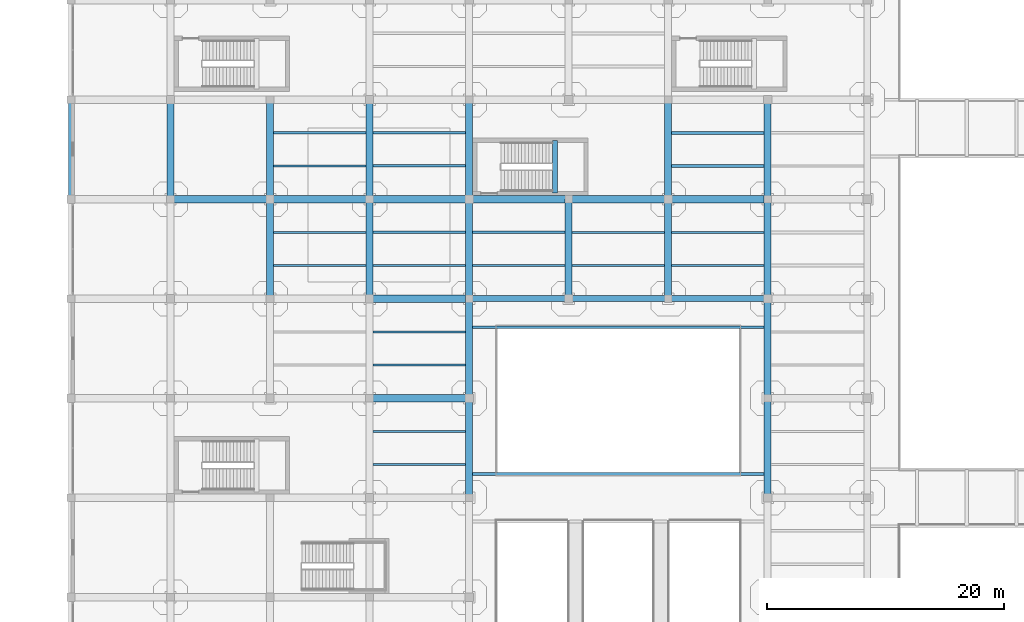
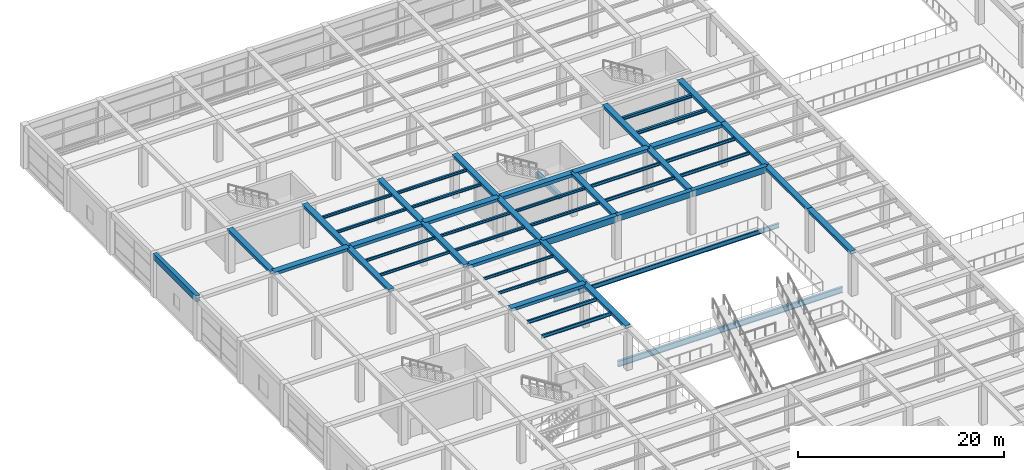
# One storey, part 32 of 96: 51 beams.
"""IFC4 building model written with IfcOpenShell, lengths in metres."""

import ifcopenshell
import ifcopenshell.guid

model = None  # the IFC model being written
_history = None  # IfcOwnerHistory: only IFC2X3 demands one
_inside = {}  # id of a spatial element -> (the spatial element, [elements in it])
_under = {}  # id of a project, library or spatial element -> (it, [spatial elements below it])
_declared = {}  # id of a project -> (the project, [libraries it declares])
_typed = {}  # id of a type object -> (the type object, [elements of that type])
_made_of = {}  # id of a material, layer set ... -> (it, [elements and type objects made of it])


def new_model(schema):
    """Start an empty IFC model of exactly this schema.

    Asked for "IFC4X3", IfcOpenShell would pick the latest addendum, in which some entities
    have other attributes; the version numbers below select the first issue.
    IFC2X3 requires an IfcOwnerHistory on every rooted entity: one is made here for all.
    """
    global model, _history
    if schema == "IFC4X3":
        model = ifcopenshell.file(schema_version=(4, 3, 0, 0))
    else:
        model = ifcopenshell.file(schema=schema)
    _inside.clear()
    _under.clear()
    _declared.clear()
    _typed.clear()
    _made_of.clear()
    _history = None
    if model.schema == "IFC2X3":
        org = make("IfcOrganization", Name="unknown")
        user = make(
            "IfcPersonAndOrganization",
            ThePerson=make("IfcPerson", FamilyName="unknown"),
            TheOrganization=org,
        )
        app = make(
            "IfcApplication",
            ApplicationDeveloper=org,
            Version="unknown",
            ApplicationFullName="unknown",
            ApplicationIdentifier="unknown",
        )
        _history = make(
            "IfcOwnerHistory",
            OwningUser=user,
            OwningApplication=app,
            ChangeAction="ADDED",
            CreationDate=0,
        )
    return model


def make(cls, **values):
    """One entity of the class cls with the attributes given. An attribute that is None is left unset."""
    return model.create_entity(
        cls, **{name: value for name, value in values.items() if value is not None}
    )


def rooted(cls, **values):
    """An entity with a GlobalId (a new one), such as an element, a storey or a relation."""
    return make(cls, GlobalId=ifcopenshell.guid.new(), OwnerHistory=_history, **values)


def si_unit(unit_type, name, prefix=None):
    """IfcSIUnit, for example si_unit("LENGTHUNIT", "METRE", prefix="MILLI")."""
    return make("IfcSIUnit", UnitType=unit_type, Prefix=prefix, Name=name)


def assignment(units):
    """IfcUnitAssignment: the units of a project."""
    return None if units is None else make("IfcUnitAssignment", Units=units)


def point(xyz):
    """IfcCartesianPoint."""
    return None if xyz is None else make("IfcCartesianPoint", Coordinates=xyz)


def direction(xyz):
    """IfcDirection."""
    return None if xyz is None else make("IfcDirection", DirectionRatios=xyz)


def frame(location, z_axis=None, x_axis=None):
    """IfcAxis2Placement3D, a coordinate frame: its origin and axes. An axis left out is left unset."""
    return make(
        "IfcAxis2Placement3D",
        Location=point(location),
        Axis=direction(z_axis),
        RefDirection=direction(x_axis),
    )


def frame_2d(location, x_axis=None):
    """IfcAxis2Placement2D, a coordinate frame in the plane: its origin and x axis."""
    return make(
        "IfcAxis2Placement2D", Location=point(location), RefDirection=direction(x_axis)
    )


def origin():
    """The frame at (0, 0, 0) with its axes left unset."""
    return frame((0.0, 0.0, 0.0))


def origin_2d():
    """The frame at (0, 0) in the plane with its x axis left unset."""
    return frame_2d((0.0, 0.0))


def place(relative_to, where):
    """IfcLocalPlacement: puts the frame where relative to a parent placement (None: the world)."""
    return make(
        "IfcLocalPlacement", PlacementRelTo=relative_to, RelativePlacement=where
    )


def context(
    kind, dimensions, precision=None, world=None, true_north=None, identifier=None
):
    """IfcGeometricRepresentationContext, for example the 3D "Model" context."""
    return make(
        "IfcGeometricRepresentationContext",
        ContextIdentifier=identifier,
        ContextType=kind,
        CoordinateSpaceDimension=dimensions,
        Precision=precision,
        WorldCoordinateSystem=world,
        TrueNorth=true_north,
    )


def subcontext(parent, identifier, kind, view, scale=None):
    """IfcGeometricRepresentationSubContext, for example "Body" below "Model"."""
    return make(
        "IfcGeometricRepresentationSubContext",
        ContextIdentifier=identifier,
        ContextType=kind,
        ParentContext=parent,
        TargetScale=scale,
        TargetView=view,
    )


def project(units=None, contexts=None):
    """IfcProject with its units and contexts."""
    return rooted(
        "IfcProject",
        Name="project",
        RepresentationContexts=contexts,
        UnitsInContext=assignment(units),
    )


def spatial(cls, under=None, at=None, **own):
    """A site, building, storey or space (cls), placed at a placement, below another one or the project."""
    s = rooted(cls, ObjectPlacement=at, **own)
    if under is not None:
        _under.setdefault(under.id(), (under, []))[1].append(s)
    return s


def profile(cls, at=None, kind="AREA", **sizes):
    """A parametric profile (cls). Its sizes go by their IFC names, for example OverallWidth=200.0."""
    return make(cls, ProfileType=kind, Position=at, **sizes)


def rectangle(**sizes):
    """IfcRectangleProfileDef."""
    return profile("IfcRectangleProfileDef", **sizes)


def i_section(**sizes):
    """IfcIShapeProfileDef."""
    return profile("IfcIShapeProfileDef", **sizes)


def extrude(swept, where, along, depth):
    """IfcExtrudedAreaSolid: the profile swept, set in the frame where, extruded along a direction by depth."""
    return make(
        "IfcExtrudedAreaSolid",
        SweptArea=swept,
        Position=where,
        ExtrudedDirection=direction(along),
        Depth=depth,
    )


def shape(context_of_items, identifier, shape_type, items):
    """IfcShapeRepresentation: the items that make up one representation, for example the "Body"."""
    return make(
        "IfcShapeRepresentation",
        ContextOfItems=context_of_items,
        RepresentationIdentifier=identifier,
        RepresentationType=shape_type,
        Items=items,
    )


def material(Name=None, Category=None):
    """IfcMaterial."""
    return make("IfcMaterial", Name=Name, Category=Category)


def material_profile(
    of_material, cross_section, Name=None, Category=None, Priority=None
):
    """IfcMaterialProfile: a cross section and its material."""
    return make(
        "IfcMaterialProfile",
        Name=Name,
        Material=of_material,
        Profile=cross_section,
        Priority=Priority,
        Category=Category,
    )


def profile_set(profiles, Name=None, composite=None):
    """IfcMaterialProfileSet."""
    return make(
        "IfcMaterialProfileSet",
        Name=Name,
        MaterialProfiles=profiles,
        CompositeProfile=composite,
    )


def made_of(thing, what):
    """Note that an element or type object is made of a material, layer set ...; save() writes the relation."""
    if what is not None:
        _made_of.setdefault(what.id(), (what, []))[1].append(thing)
    return thing


def type_object(cls, material=None, **own):
    """A type object (cls), such as IfcWallType, which elements share."""
    return made_of(rooted(cls, **own), material)


def element(
    cls,
    number,
    at=None,
    inside=None,
    cuts=None,
    type_object=None,
    material=None,
    context=None,
    identifier="Body",
    shape_type=None,
    held_by="IfcProductDefinitionShape",
    body=None,
    shapes=None,
    **own,
):
    """One element of the class cls, such as IfcWall. Its Tag is "e" and its number.

    at: its placement. inside: the storey or other place that contains it. cuts: it is an
    opening in that element (IfcRelVoidsElement). A single representation is given by context,
    identifier, shape_type and body (its items); several are given by shapes. held_by: the class
    of the entity that holds the representations. save() writes the other relations.
    """
    e = rooted(cls, Tag="e%d" % number, ObjectPlacement=at, **own)
    if body is not None:
        shapes = [shape(context, identifier, shape_type, body)]
    if shapes is not None:
        e.Representation = make(held_by, Representations=shapes)
    if inside is not None:
        _inside.setdefault(inside.id(), (inside, []))[1].append(e)
    if cuts is not None:
        rooted(
            "IfcRelVoidsElement", RelatingBuildingElement=cuts, RelatedOpeningElement=e
        )
    if type_object is not None:
        _typed.setdefault(type_object.id(), (type_object, []))[1].append(e)
    return made_of(e, material)


def aggregate(whole, parts):
    """IfcRelAggregates: a whole, such as a stair, and the parts it consists of."""
    return rooted("IfcRelAggregates", RelatingObject=whole, RelatedObjects=parts)


def save(model, path):
    """Write the relations noted so far, then the file.

    IfcRelAggregates (storeys below a building ...), IfcRelContainedInSpatialStructure (elements
    in a storey), IfcRelDefinesByType, IfcRelAssociatesMaterial and IfcRelDeclares: one each for
    every whole, place, type object, material and project.
    """
    for whole, parts in _under.values():
        aggregate(whole, parts)
    for where, things in _inside.values():
        rooted(
            "IfcRelContainedInSpatialStructure",
            RelatedElements=things,
            RelatingStructure=where,
        )
    for kind, things in _typed.values():
        rooted("IfcRelDefinesByType", RelatedObjects=things, RelatingType=kind)
    for what, things in _made_of.values():
        rooted("IfcRelAssociatesMaterial", RelatedObjects=things, RelatingMaterial=what)
    for by, libraries in _declared.values():
        rooted("IfcRelDeclares", RelatingContext=by, RelatedDefinitions=libraries)
    model.write(path)


model = new_model("IFC4")

# Units and contexts
model_context = context("Model", 3, precision=1e-05, world=origin(), true_north=direction((0.0, 1.0)))
body_context = subcontext(model_context, "Body", "Model", "MODEL_VIEW")
ifc_project = project(units=[si_unit("LENGTHUNIT", "METRE"), si_unit("AREAUNIT", "SQUARE_METRE"), si_unit("VOLUMEUNIT", "CUBIC_METRE"), si_unit("PLANEANGLEUNIT", "RADIAN"), si_unit("MASSUNIT", "GRAM", prefix="KILO")], contexts=[model_context])

# Site, building, storey
site_placement = place(None, origin())
site = spatial("IfcSite", under=ifc_project, at=site_placement, CompositionType="ELEMENT")
building_placement = place(site_placement, origin())
building = spatial("IfcBuilding", under=site, at=building_placement, Name="Almacenes y Pasaje Nevantli", CompositionType="ELEMENT")
storey_placement = place(building_placement, frame((0.0, 0.0, 6.0)))
storey = spatial("IfcBuildingStorey", under=building, at=storey_placement, Name="L02", CompositionType="ELEMENT", Elevation=6.0)

# Beams
ifc_material_1 = material(Name="Concrete C35/45", Category="concrete")
ifc_material_profile_1 = material_profile(ifc_material_1, rectangle(XDim=0.39990234375, YDim=0.60009765625, at=origin_2d()), Name="RC-BM-400x600")
ifc_profile_set_1 = profile_set([ifc_material_profile_1], Name="Concrete C35/45")
beam_type_1 = type_object("IfcBeamType", Name="BM-RC-400x600", PredefinedType="SPANDREL", material=ifc_profile_set_1)
beam_1_placement = place(storey_placement, frame((40.85009765625, 84.5, 2.199951171875), z_axis=(0.0, 1.0, 0.0), x_axis=(-1.0, 0.0, 0.0)))
element("IfcBeam", 1, at=beam_1_placement, inside=storey, type_object=beam_type_1, Name="L02 Stair ST-15 Half-Landing Support Beam", PredefinedType="SPANDREL", context=body_context, shape_type="SweptSolid", body=[
    extrude(rectangle(XDim=0.39990234375, YDim=0.60009765625, at=origin_2d()), origin(), (0.0, 0.0, 1.0), 4.449951171875),
])
ifc_material_2 = material(Name="Concrete C35/45", Category="concrete")
ifc_material_profile_2 = material_profile(ifc_material_2, rectangle(XDim=0.449951171875, YDim=0.699951171875, at=origin_2d()), Name="RC-BM-450x700")
ifc_profile_set_2 = profile_set([ifc_material_profile_2], Name="Concrete C35/45")
beam_type_2 = type_object("IfcBeamType", Name="BM-RC-450x700", PredefinedType="SPANDREL", material=ifc_profile_set_2)
beam_2_placement = place(storey_placement, frame((0.0, 84.0, 4.75), z_axis=(0.0, 1.0, 0.0), x_axis=(-1.0, 0.0, 0.0)))
element("IfcBeam", 2, at=beam_2_placement, inside=storey, type_object=beam_type_2, Name="L02 North-South Reinforced Concrete Beam #1973", PredefinedType="SPANDREL", context=body_context, shape_type="SweptSolid", body=[
    extrude(rectangle(XDim=0.449951171875, YDim=0.699951171875, at=origin_2d()), origin(), (0.0, 0.0, 1.0), 8.39990234375),
])
ifc_material_3 = material(Name="Concrete C35/45", Category="concrete")
ifc_material_profile_3 = material_profile(ifc_material_3, rectangle(XDim=0.5, YDim=0.699951171875, at=origin_2d()), Name="RC-BM-500x700")
ifc_profile_set_3 = profile_set([ifc_material_profile_3], Name="Concrete C35/45")
beam_type_3 = type_object("IfcBeamType", Name="BM-RC-500x700", PredefinedType="BEAM", material=ifc_profile_set_3)
beam_3_placement = place(storey_placement, frame((42.0, 75.60009765625, 4.75), z_axis=(1.0, 0.0, 0.0), x_axis=(0.0, 1.0, 0.0)))
element("IfcBeam", 3, at=beam_3_placement, inside=storey, type_object=beam_type_3, Name="L02 East-West Reinforced Concrete Beam #1866", PredefinedType="BEAM", context=body_context, shape_type="SweptSolid", body=[
    extrude(rectangle(XDim=0.5, YDim=0.699951171875, at=origin_2d()), origin(), (0.0, 0.0, 1.0), 8.39990234375),
])
ifc_material_4 = material(Name="Concrete C35/45", Category="concrete")
ifc_material_profile_4 = material_profile(ifc_material_4, rectangle(XDim=0.5, YDim=0.75, at=origin_2d()), Name="RC-BM-500x750")
ifc_profile_set_4 = profile_set([ifc_material_profile_4], Name="Concrete C35/45")
beam_type_4 = type_object("IfcBeamType", Name="BM-RC-500x750", PredefinedType="BEAM", material=ifc_profile_set_4)
beam_4_placement = place(storey_placement, frame((33.60009765625, 75.60009765625, 4.72509765625), z_axis=(1.0, 0.0, 0.0), x_axis=(0.0, 1.0, 0.0)))
element("IfcBeam", 4, at=beam_4_placement, inside=storey, type_object=beam_type_4, Name="L02 East-West Reinforced Concrete Beam #1865", PredefinedType="BEAM", context=body_context, shape_type="SweptSolid", body=[
    extrude(rectangle(XDim=0.5, YDim=0.75, at=origin_2d()), origin(), (0.0, 0.0, 1.0), 8.39990234375),
])
beam_5_placement = place(storey_placement, frame((50.39990234375, 75.60009765625, 4.72509765625), z_axis=(1.0, 0.0, 0.0), x_axis=(0.0, 1.0, 0.0)))
element("IfcBeam", 5, at=beam_5_placement, inside=storey, type_object=beam_type_4, Name="L02 East-West Reinforced Concrete Beam #1867", PredefinedType="BEAM", context=body_context, shape_type="SweptSolid", body=[
    extrude(rectangle(XDim=0.5, YDim=0.75, at=origin_2d()), origin(), (0.0, 0.0, 1.0), 8.400146484375),
])
ifc_material_5 = material(Name="Concrete C35/45", Category="concrete")
ifc_material_profile_5 = material_profile(ifc_material_5, rectangle(XDim=0.60009765625, YDim=0.320068359375, at=origin_2d()), Name="RC-BM-600x320")
ifc_profile_set_5 = profile_set([ifc_material_profile_5], Name="Concrete C35/45")
beam_type_5 = type_object("IfcBeamType", Name="BM-RC-600x320", PredefinedType="BEAM", material=ifc_profile_set_5)
for number, where, z_axis, x_axis, name in (
    (6, (8.39990234375, 84.0, 4.93994140625), (0.0, 1.0, 0.0), (-1.0, 0.0, 0.0), "L02 North-South Reinforced Concrete Beam #1984"),
    (7, (16.800048828125, 75.60009765625, 4.93994140625), (0.0, 1.0, 0.0), (-1.0, 0.0, 0.0), "L02 North-South Reinforced Concrete Beam #1993"),
    (8, (25.199951171875, 84.0, 4.93994140625), (0.0, 1.0, 0.0), (-1.0, 0.0, 0.0), "L02 North-South Reinforced Concrete Beam #2007"),
    (9, (33.60009765625, 58.800048828125, 4.93994140625), (0.0, 1.0, 0.0), (-1.0, 0.0, 0.0), "L02 North-South Reinforced Concrete Beam #2017"),
    (10, (33.60009765625, 75.60009765625, 4.93994140625), (0.0, 1.0, 0.0), (-1.0, 0.0, 0.0), "L02 North-South Reinforced Concrete Beam #2019"),
    (11, (50.39990234375, 75.60009765625, 4.93994140625), (0.0, 1.0, 0.0), (-1.0, 0.0, 0.0), "L02 North-South Reinforced Concrete Beam #2037"),
):
    element("IfcBeam", number, at=place(storey_placement, frame(where, z_axis=z_axis, x_axis=x_axis)), inside=storey, type_object=beam_type_5, Name=name, PredefinedType="BEAM", context=body_context, shape_type="SweptSolid", body=[
        extrude(rectangle(XDim=0.60009765625, YDim=0.320068359375, at=origin_2d()), origin(), (0.0, 0.0, 1.0), 8.39990234375),
    ])
beam_6_placement = place(storey_placement, frame((58.800048828125, 67.199951171875, 4.93994140625), z_axis=(0.0, 1.0, 0.0), x_axis=(-1.0, 0.0, 0.0)))
element("IfcBeam", 12, at=beam_6_placement, inside=storey, type_object=beam_type_5, Name="L02 North-South Reinforced Concrete Beam #2050", PredefinedType="BEAM", context=body_context, shape_type="SweptSolid", body=[
    extrude(rectangle(XDim=0.60009765625, YDim=0.320068359375, at=origin_2d()), origin(), (0.0, 0.0, 1.0), 8.400146484375),
])
beam_7_placement = place(storey_placement, frame((58.800048828125, 84.0, 4.93994140625), z_axis=(0.0, 1.0, 0.0), x_axis=(-1.0, 0.0, 0.0)))
element("IfcBeam", 13, at=beam_7_placement, inside=storey, type_object=beam_type_5, Name="L02 North-South Reinforced Concrete Beam #2052", PredefinedType="BEAM", context=body_context, shape_type="SweptSolid", body=[
    extrude(rectangle(XDim=0.60009765625, YDim=0.320068359375, at=origin_2d()), origin(), (0.0, 0.0, 1.0), 8.39990234375),
])
ifc_material_6 = material(Name="Concrete C35/45", Category="concrete")
ifc_material_profile_6 = material_profile(ifc_material_6, rectangle(XDim=0.60009765625, YDim=0.340087890625, at=origin_2d()), Name="RC-BM-600x340")
ifc_profile_set_6 = profile_set([ifc_material_profile_6], Name="Concrete C35/45")
beam_type_6 = type_object("IfcBeamType", Name="BM-RC-600x340", PredefinedType="BEAM", material=ifc_profile_set_6)
for number, where, z_axis, x_axis, name in (
    (14, (16.800048828125, 84.0, 4.929931640625), (0.0, 1.0, 0.0), (-1.0, 0.0, 0.0), "L02 North-South Reinforced Concrete Beam #1994"),
    (15, (25.199951171875, 75.60009765625, 4.929931640625), (0.0, 1.0, 0.0), (-1.0, 0.0, 0.0), "L02 North-South Reinforced Concrete Beam #2006"),
):
    element("IfcBeam", number, at=place(storey_placement, frame(where, z_axis=z_axis, x_axis=x_axis)), inside=storey, type_object=beam_type_6, Name=name, PredefinedType="BEAM", context=body_context, shape_type="SweptSolid", body=[
        extrude(rectangle(XDim=0.60009765625, YDim=0.340087890625, at=origin_2d()), origin(), (0.0, 0.0, 1.0), 8.39990234375),
    ])
beam_8_placement = place(storey_placement, frame((33.60009765625, 67.199951171875, 4.929931640625), z_axis=(0.0, 1.0, 0.0), x_axis=(-1.0, 0.0, 0.0)))
element("IfcBeam", 16, at=beam_8_placement, inside=storey, type_object=beam_type_6, Name="L02 North-South Reinforced Concrete Beam #2018", PredefinedType="BEAM", context=body_context, shape_type="SweptSolid", body=[
    extrude(rectangle(XDim=0.60009765625, YDim=0.340087890625, at=origin_2d()), origin(), (0.0, 0.0, 1.0), 8.400146484375),
])
for number, where, z_axis, x_axis, name in (
    (17, (33.60009765625, 84.0, 4.929931640625), (0.0, 1.0, 0.0), (-1.0, 0.0, 0.0), "L02 North-South Reinforced Concrete Beam #2020"),
    (18, (42.0, 75.60009765625, 4.929931640625), (0.0, 1.0, 0.0), (-1.0, 0.0, 0.0), "L02 North-South Reinforced Concrete Beam #2029"),
    (19, (50.39990234375, 84.0, 4.929931640625), (0.0, 1.0, 0.0), (-1.0, 0.0, 0.0), "L02 North-South Reinforced Concrete Beam #2038"),
    (20, (58.800048828125, 58.800048828125, 4.929931640625), (0.0, 1.0, 0.0), (-1.0, 0.0, 0.0), "L02 North-South Reinforced Concrete Beam #2049"),
    (21, (58.800048828125, 75.60009765625, 4.929931640625), (0.0, 1.0, 0.0), (-1.0, 0.0, 0.0), "L02 North-South Reinforced Concrete Beam #2051"),
):
    element("IfcBeam", number, at=place(storey_placement, frame(where, z_axis=z_axis, x_axis=x_axis)), inside=storey, type_object=beam_type_6, Name=name, PredefinedType="BEAM", context=body_context, shape_type="SweptSolid", body=[
        extrude(rectangle(XDim=0.60009765625, YDim=0.340087890625, at=origin_2d()), origin(), (0.0, 0.0, 1.0), 8.39990234375),
    ])
ifc_material_7 = material(Name="Concrete C35/45", Category="concrete")
ifc_material_profile_7 = material_profile(ifc_material_7, rectangle(XDim=0.64990234375, YDim=0.35009765625, at=origin_2d()), Name="RC-BM-650x350")
ifc_profile_set_7 = profile_set([ifc_material_profile_7], Name="Concrete C35/45")
beam_type_7 = type_object("IfcBeamType", Name="BM-RC-650x350", PredefinedType="BEAM", material=ifc_profile_set_7)
for number, where, z_axis, x_axis, name in (
    (22, (25.199951171875, 67.199951171875, 4.925048828125), (1.0, 0.0, 0.0), (0.0, 1.0, 0.0), "L02 East-West Reinforced Concrete Beam #1850"),
    (23, (8.39990234375, 84.0, 4.925048828125), (1.0, 0.0, 0.0), (0.0, 1.0, 0.0), "L02 East-West Reinforced Concrete Beam #1879"),
    (24, (25.199951171875, 84.0, 4.925048828125), (1.0, 0.0, 0.0), (0.0, 1.0, 0.0), "L02 East-West Reinforced Concrete Beam #1881"),
):
    element("IfcBeam", number, at=place(storey_placement, frame(where, z_axis=z_axis, x_axis=x_axis)), inside=storey, type_object=beam_type_7, Name=name, PredefinedType="BEAM", context=body_context, shape_type="SweptSolid", body=[
        extrude(rectangle(XDim=0.64990234375, YDim=0.35009765625, at=origin_2d()), origin(), (0.0, 0.0, 1.0), 8.400146484375),
    ])
beam_9_placement = place(storey_placement, frame((42.0, 84.0, 4.925048828125), z_axis=(1.0, 0.0, 0.0), x_axis=(0.0, 1.0, 0.0)))
element("IfcBeam", 25, at=beam_9_placement, inside=storey, type_object=beam_type_7, Name="L02 East-West Reinforced Concrete Beam #1883", PredefinedType="BEAM", context=body_context, shape_type="SweptSolid", body=[
    extrude(rectangle(XDim=0.64990234375, YDim=0.35009765625, at=origin_2d()), origin(), (0.0, 0.0, 1.0), 8.39990234375),
])
ifc_material_8 = material(Name="Concrete C35/45", Category="concrete")
ifc_material_profile_8 = material_profile(ifc_material_8, rectangle(XDim=0.64990234375, YDim=0.3798828125, at=origin_2d()), Name="RC-BM-650x380")
ifc_profile_set_8 = profile_set([ifc_material_profile_8], Name="Concrete C35/45")
beam_type_8 = type_object("IfcBeamType", Name="BM-RC-650x380", PredefinedType="BEAM", material=ifc_profile_set_8)
beam_10_placement = place(storey_placement, frame((25.199951171875, 75.60009765625, 4.909912109375), z_axis=(1.0, 0.0, 0.0), x_axis=(0.0, 1.0, 0.0)))
element("IfcBeam", 26, at=beam_10_placement, inside=storey, type_object=beam_type_8, Name="L02 East-West Reinforced Concrete Beam #1864", PredefinedType="BEAM", context=body_context, shape_type="SweptSolid", body=[
    extrude(rectangle(XDim=0.64990234375, YDim=0.3798828125, at=origin_2d()), origin(), (0.0, 0.0, 1.0), 8.400146484375),
])
for number, where, z_axis, x_axis, name in (
    (27, (16.800048828125, 84.0, 4.909912109375), (1.0, 0.0, 0.0), (0.0, 1.0, 0.0), "L02 East-West Reinforced Concrete Beam #1880"),
    (28, (33.60009765625, 84.0, 4.909912109375), (1.0, 0.0, 0.0), (0.0, 1.0, 0.0), "L02 East-West Reinforced Concrete Beam #1882"),
):
    element("IfcBeam", number, at=place(storey_placement, frame(where, z_axis=z_axis, x_axis=x_axis)), inside=storey, type_object=beam_type_8, Name=name, PredefinedType="BEAM", context=body_context, shape_type="SweptSolid", body=[
        extrude(rectangle(XDim=0.64990234375, YDim=0.3798828125, at=origin_2d()), origin(), (0.0, 0.0, 1.0), 8.39990234375),
    ])
beam_11_placement = place(storey_placement, frame((50.39990234375, 84.0, 4.909912109375), z_axis=(1.0, 0.0, 0.0), x_axis=(0.0, 1.0, 0.0)))
element("IfcBeam", 29, at=beam_11_placement, inside=storey, type_object=beam_type_8, Name="L02 East-West Reinforced Concrete Beam #1884", PredefinedType="BEAM", context=body_context, shape_type="SweptSolid", body=[
    extrude(rectangle(XDim=0.64990234375, YDim=0.3798828125, at=origin_2d()), origin(), (0.0, 0.0, 1.0), 8.400146484375),
])
ifc_material_9 = material(Name="Steel ASTM A992", Category="steel")
ifc_material_profile_9 = material_profile(ifc_material_9, i_section(OverallWidth=0.1650390625, OverallDepth=0.306884765625, WebThickness=0.006591796875, FlangeThickness=0.01025390625, at=origin_2d()), Name="IR 305x44.6")
ifc_profile_set_9 = profile_set([ifc_material_profile_9], Name="Steel ASTM A992")
beam_type_9 = type_object("IfcBeamType", Name="BM-STL-IR-305x44p6", PredefinedType="JOIST", material=ifc_profile_set_9)
for number, where, z_axis, x_axis, name in (
    (30, (17.10009765625, 78.39990234375, 4.9384765625), (1.0, 0.0, 0.0), (0.0, 1.0, 0.0), "L02 Secondary Steel Floor Joist #351"),
    (31, (17.10009765625, 81.199951171875, 4.9384765625), (1.0, 0.0, 0.0), (0.0, 1.0, 0.0), "L02 Secondary Steel Floor Joist #352"),
):
    element("IfcBeam", number, at=place(storey_placement, frame(where, z_axis=z_axis, x_axis=x_axis)), inside=storey, type_object=beam_type_9, Name=name, PredefinedType="JOIST", context=body_context, shape_type="SweptSolid", body=[
        extrude(i_section(OverallWidth=0.1650390625, OverallDepth=0.306884765625, WebThickness=0.006591796875, FlangeThickness=0.01025390625, at=origin_2d()), origin(), (0.0, 0.0, 1.0), 7.7998046875),
    ])
for number, where, z_axis, x_axis, name in (
    (32, (25.5, 70.0, 4.9384765625), (1.0, 0.0, 0.0), (0.0, 1.0, 0.0), "L02 Secondary Steel Floor Joist #371"),
    (33, (25.5, 72.800048828125, 4.9384765625), (1.0, 0.0, 0.0), (0.0, 1.0, 0.0), "L02 Secondary Steel Floor Joist #372"),
):
    element("IfcBeam", number, at=place(storey_placement, frame(where, z_axis=z_axis, x_axis=x_axis)), inside=storey, type_object=beam_type_9, Name=name, PredefinedType="JOIST", context=body_context, shape_type="SweptSolid", body=[
        extrude(i_section(OverallWidth=0.1650390625, OverallDepth=0.306884765625, WebThickness=0.006591796875, FlangeThickness=0.01025390625, at=origin_2d()), origin(), (0.0, 0.0, 1.0), 7.800048828125),
    ])
ifc_material_10 = material(Name="Steel ASTM A992", Category="steel")
ifc_material_profile_10 = material_profile(ifc_material_10, i_section(OverallWidth=0.202880859375, OverallDepth=0.304931640625, WebThickness=0.007568359375, FlangeThickness=0.01318359375, at=origin_2d()), Name="IR 305x59.5")
ifc_profile_set_10 = profile_set([ifc_material_profile_10], Name="Steel ASTM A992")
beam_type_10 = type_object("IfcBeamType", Name="BM-STL-IR-305x59p5", PredefinedType="JOIST", material=ifc_profile_set_10)
for number, where, z_axis, x_axis, name in (
    (34, (17.10009765625, 86.800048828125, 4.939453125), (1.0, 0.0, 0.0), (0.0, 1.0, 0.0), "L02 Secondary Steel Floor Joist #353"),
    (35, (17.10009765625, 89.60009765625, 4.939453125), (1.0, 0.0, 0.0), (0.0, 1.0, 0.0), "L02 Secondary Steel Floor Joist #354"),
):
    element("IfcBeam", number, at=place(storey_placement, frame(where, z_axis=z_axis, x_axis=x_axis)), inside=storey, type_object=beam_type_10, Name=name, PredefinedType="JOIST", context=body_context, shape_type="SweptSolid", body=[
        extrude(i_section(OverallWidth=0.202880859375, OverallDepth=0.304931640625, WebThickness=0.007568359375, FlangeThickness=0.01318359375, at=origin_2d()), origin(), (0.0, 0.0, 1.0), 7.7998046875),
    ])
for number, where, z_axis, x_axis, name in (
    (36, (25.5, 78.39990234375, 4.939453125), (1.0, 0.0, 0.0), (0.0, 1.0, 0.0), "L02 Secondary Steel Floor Joist #373"),
    (37, (25.5, 81.199951171875, 4.939453125), (1.0, 0.0, 0.0), (0.0, 1.0, 0.0), "L02 Secondary Steel Floor Joist #374"),
):
    element("IfcBeam", number, at=place(storey_placement, frame(where, z_axis=z_axis, x_axis=x_axis)), inside=storey, type_object=beam_type_10, Name=name, PredefinedType="JOIST", context=body_context, shape_type="SweptSolid", body=[
        extrude(i_section(OverallWidth=0.202880859375, OverallDepth=0.304931640625, WebThickness=0.007568359375, FlangeThickness=0.01318359375, at=origin_2d()), origin(), (0.0, 0.0, 1.0), 7.800048828125),
    ])
ifc_material_11 = material(Name="Steel ASTM A992", Category="steel")
ifc_material_profile_11 = material_profile(ifc_material_11, i_section(OverallWidth=0.205078125, OverallDepth=0.31005859375, WebThickness=0.009521484375, FlangeThickness=0.016357421875, at=origin_2d()), Name="IR 305x74.4")
ifc_profile_set_11 = profile_set([ifc_material_profile_11], Name="Steel ASTM A992")
beam_type_11 = type_object("IfcBeamType", Name="BM-STL-IR-305x74p4", PredefinedType="JOIST", material=ifc_profile_set_11)
for number, where, z_axis, x_axis, name in (
    (38, (25.5, 86.800048828125, 4.93701171875), (1.0, 0.0, 0.0), (0.0, 1.0, 0.0), "L02 Secondary Steel Floor Joist #375"),
    (39, (25.5, 89.60009765625, 4.93701171875), (1.0, 0.0, 0.0), (0.0, 1.0, 0.0), "L02 Secondary Steel Floor Joist #376"),
    (40, (33.89990234375, 78.39990234375, 4.93701171875), (1.0, 0.0, 0.0), (0.0, 1.0, 0.0), "L02 Secondary Steel Floor Joist #391"),
    (41, (33.89990234375, 81.199951171875, 4.93701171875), (1.0, 0.0, 0.0), (0.0, 1.0, 0.0), "L02 Secondary Steel Floor Joist #392"),
):
    element("IfcBeam", number, at=place(storey_placement, frame(where, z_axis=z_axis, x_axis=x_axis)), inside=storey, type_object=beam_type_11, Name=name, PredefinedType="JOIST", context=body_context, shape_type="SweptSolid", body=[
        extrude(i_section(OverallWidth=0.205078125, OverallDepth=0.31005859375, WebThickness=0.009521484375, FlangeThickness=0.016357421875, at=origin_2d()), origin(), (0.0, 0.0, 1.0), 7.800048828125),
    ])
ifc_material_12 = material(Name="Steel ASTM A992", Category="steel")
ifc_material_profile_12 = material_profile(ifc_material_12, i_section(OverallWidth=0.173095703125, OverallDepth=0.35302734375, WebThickness=0.0078125, FlangeThickness=0.01318359375, at=origin_2d()), Name="IR 356x56.6")
ifc_profile_set_12 = profile_set([ifc_material_profile_12], Name="Steel ASTM A992")
beam_type_12 = type_object("IfcBeamType", Name="BM-STL-IR-356x56p6", PredefinedType="JOIST", material=ifc_profile_set_12)
for number, where, z_axis, x_axis, name in (
    (42, (42.300048828125, 78.39990234375, 4.91552734375), (1.0, 0.0, 0.0), (0.0, 1.0, 0.0), "L02 Secondary Steel Floor Joist #407"),
    (43, (42.300048828125, 81.199951171875, 4.91552734375), (1.0, 0.0, 0.0), (0.0, 1.0, 0.0), "L02 Secondary Steel Floor Joist #408"),
):
    element("IfcBeam", number, at=place(storey_placement, frame(where, z_axis=z_axis, x_axis=x_axis)), inside=storey, type_object=beam_type_12, Name=name, PredefinedType="JOIST", context=body_context, shape_type="SweptSolid", body=[
        extrude(i_section(OverallWidth=0.173095703125, OverallDepth=0.35302734375, WebThickness=0.0078125, FlangeThickness=0.01318359375, at=origin_2d()), origin(), (0.0, 0.0, 1.0), 7.800048828125),
    ])
ifc_material_13 = material(Name="Steel ASTM A992", Category="steel")
ifc_material_profile_13 = material_profile(ifc_material_13, i_section(OverallWidth=0.173095703125, OverallDepth=0.364013671875, WebThickness=0.009033203125, FlangeThickness=0.015625, at=origin_2d()), Name="IR 356x67.0")
ifc_profile_set_13 = profile_set([ifc_material_profile_13], Name="Steel ASTM A992")
beam_type_13 = type_object("IfcBeamType", Name="BM-STL-IR-356x67p0", PredefinedType="JOIST", material=ifc_profile_set_13)
for number, where, z_axis, x_axis, name in (
    (44, (50.699951171875, 78.39990234375, 4.909912109375), (1.0, 0.0, 0.0), (0.0, 1.0, 0.0), "L02 Secondary Steel Floor Joist #423"),
    (45, (50.699951171875, 81.199951171875, 4.909912109375), (1.0, 0.0, 0.0), (0.0, 1.0, 0.0), "L02 Secondary Steel Floor Joist #424"),
):
    element("IfcBeam", number, at=place(storey_placement, frame(where, z_axis=z_axis, x_axis=x_axis)), inside=storey, type_object=beam_type_13, Name=name, PredefinedType="JOIST", context=body_context, shape_type="SweptSolid", body=[
        extrude(i_section(OverallWidth=0.173095703125, OverallDepth=0.364013671875, WebThickness=0.009033203125, FlangeThickness=0.015625, at=origin_2d()), origin(), (0.0, 0.0, 1.0), 7.800048828125),
    ])
ifc_material_14 = material(Name="Steel ASTM A992", Category="steel")
ifc_material_profile_14 = material_profile(ifc_material_14, i_section(OverallWidth=0.25390625, OverallDepth=0.35595703125, WebThickness=0.009521484375, FlangeThickness=0.016357421875, at=origin_2d()), Name="IR 356x79.0")
ifc_profile_set_14 = profile_set([ifc_material_profile_14], Name="Steel ASTM A992")
beam_type_14 = type_object("IfcBeamType", Name="BM-STL-IR-356x79p0", PredefinedType="JOIST", material=ifc_profile_set_14)
for number, where, z_axis, x_axis, name in (
    (46, (50.699951171875, 86.800048828125, 4.9140625), (1.0, 0.0, 0.0), (0.0, 1.0, 0.0), "L02 Secondary Steel Floor Joist #425"),
    (47, (50.699951171875, 89.60009765625, 4.9140625), (1.0, 0.0, 0.0), (0.0, 1.0, 0.0), "L02 Secondary Steel Floor Joist #426"),
):
    element("IfcBeam", number, at=place(storey_placement, frame(where, z_axis=z_axis, x_axis=x_axis)), inside=storey, type_object=beam_type_14, Name=name, PredefinedType="JOIST", context=body_context, shape_type="SweptSolid", body=[
        extrude(i_section(OverallWidth=0.25390625, OverallDepth=0.35595703125, WebThickness=0.009521484375, FlangeThickness=0.016357421875, at=origin_2d()), origin(), (0.0, 0.0, 1.0), 7.800048828125),
    ])
ifc_material_15 = material(Name="Steel ASTM A992", Category="steel")
ifc_material_profile_15 = material_profile(ifc_material_15, i_section(OverallWidth=0.178955078125, OverallDepth=0.406005859375, WebThickness=0.0087890625, FlangeThickness=0.014404296875, at=origin_2d()), Name="IR 406x67.0")
ifc_profile_set_15 = profile_set([ifc_material_profile_15], Name="Steel ASTM A992")
beam_type_15 = type_object("IfcBeamType", Name="BM-STL-IR-406x67p0", PredefinedType="JOIST", material=ifc_profile_set_15)
for number, where, z_axis, x_axis, name in (
    (48, (25.5, 61.60009765625, 4.888916015625), (1.0, 0.0, 0.0), (0.0, 1.0, 0.0), "L02 Secondary Steel Floor Joist #369"),
    (49, (25.5, 64.39990234375, 4.888916015625), (1.0, 0.0, 0.0), (0.0, 1.0, 0.0), "L02 Secondary Steel Floor Joist #370"),
):
    element("IfcBeam", number, at=place(storey_placement, frame(where, z_axis=z_axis, x_axis=x_axis)), inside=storey, type_object=beam_type_15, Name=name, PredefinedType="JOIST", context=body_context, shape_type="SweptSolid", body=[
        extrude(i_section(OverallWidth=0.178955078125, OverallDepth=0.406005859375, WebThickness=0.0087890625, FlangeThickness=0.014404296875, at=origin_2d()), origin(), (0.0, 0.0, 1.0), 7.800048828125),
    ])
ifc_material_16 = material(Name="Steel ASTM A992", Category="steel")
ifc_material_profile_16 = material_profile(ifc_material_16, i_section(OverallWidth=0.2119140625, OverallDepth=0.5439453125, WebThickness=0.01318359375, FlangeThickness=0.021240234375, at=origin_2d()), Name="IR 533x123.5")
ifc_profile_set_16 = profile_set([ifc_material_profile_16], Name="Steel ASTM A992")
beam_type_16 = type_object("IfcBeamType", Name="BM-STL-IR-533x123p5", PredefinedType="BEAM", material=ifc_profile_set_16)
beam_12_placement = place(storey_placement, frame((33.60009765625, 73.199951171875, -0.580078125), z_axis=(1.0, 0.0, 0.0), x_axis=(0.0, 1.0, 0.0)))
element("IfcBeam", 50, at=beam_12_placement, inside=storey, type_object=beam_type_16, Name="L02 Atrium Escalator Bridge and Trimmer Girder #4", PredefinedType="BEAM", context=body_context, shape_type="SweptSolid", body=[
    extrude(i_section(OverallWidth=0.2119140625, OverallDepth=0.5439453125, WebThickness=0.01318359375, FlangeThickness=0.021240234375, at=origin_2d()), origin(), (0.0, 0.0, 1.0), 25.199951171875),
])
ifc_material_17 = material(Name="Steel ASTM A992", Category="steel")
ifc_material_profile_17 = material_profile(ifc_material_17, i_section(OverallWidth=0.25390625, OverallDepth=0.68798828125, WebThickness=0.01318359375, FlangeThickness=0.02099609375, at=origin_2d()), Name="IR 686x152.0")
ifc_profile_set_17 = profile_set([ifc_material_profile_17], Name="Steel ASTM A992")
beam_type_17 = type_object("IfcBeamType", Name="BM-STL-IR-686x152p0", PredefinedType="BEAM", material=ifc_profile_set_17)
beam_13_placement = place(storey_placement, frame((33.60009765625, 60.800048828125, -0.652099609375), z_axis=(1.0, 0.0, 0.0), x_axis=(0.0, 1.0, 0.0)))
element("IfcBeam", 51, at=beam_13_placement, inside=storey, type_object=beam_type_17, Name="L02 Atrium Escalator Bridge and Trimmer Girder #3", PredefinedType="BEAM", context=body_context, shape_type="SweptSolid", body=[
    extrude(i_section(OverallWidth=0.25390625, OverallDepth=0.68798828125, WebThickness=0.01318359375, FlangeThickness=0.02099609375, at=origin_2d()), origin(), (0.0, 0.0, 1.0), 25.199951171875),
])

save(model, "model.ifc")
